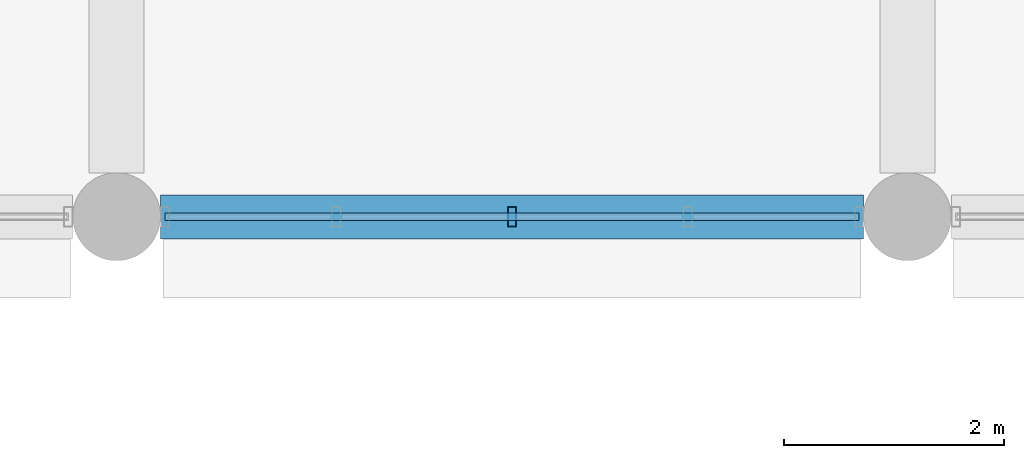
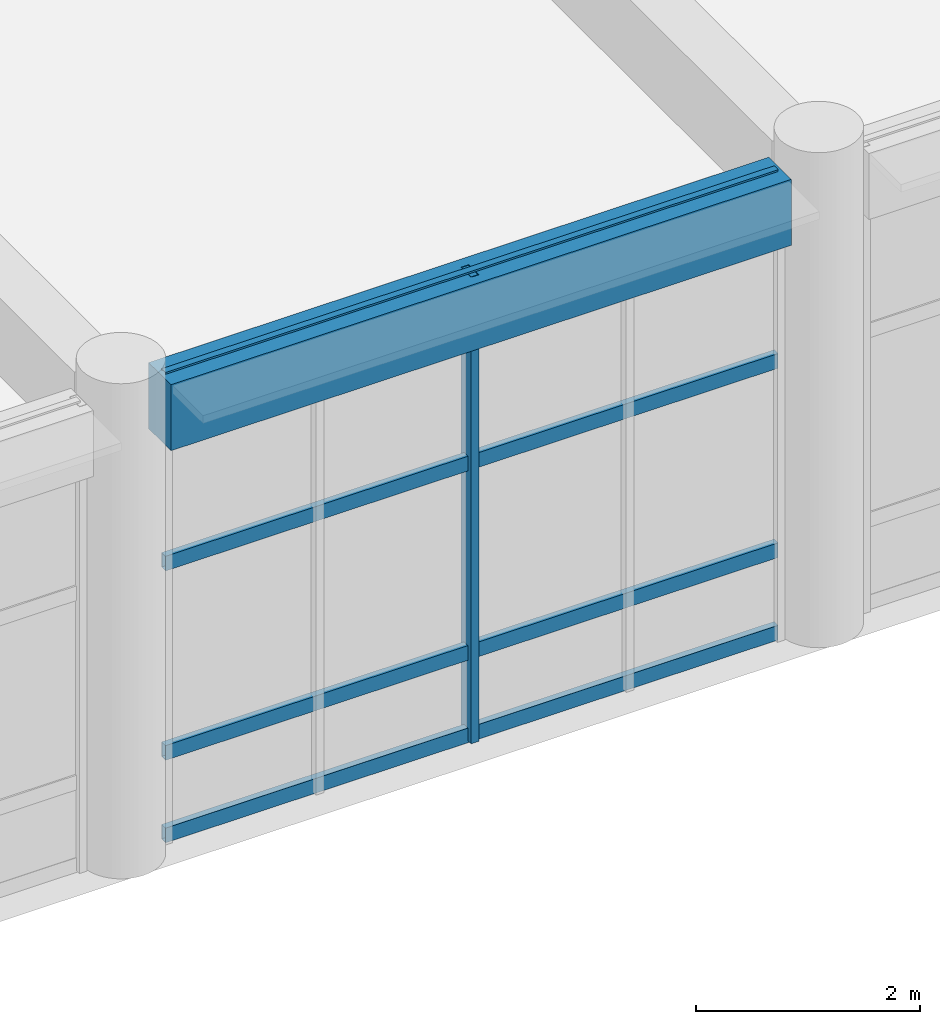
# One storey, part 34 of 160: 5 members, 1 beam, 1 element without a shape of its own.
"""IFC4 building model written with IfcOpenShell, lengths in metres."""

from ifc_helpers import new_model, si_unit, direction, frame, origin, origin_2d, place, context, subcontext, project, spatial, rectangle, hollow_rectangle, extrude, material, material_profile, profile_set, type_object, element, aggregate, save


model = new_model("IFC4")

# Units and contexts
model_context = context("Model", 3, precision=1e-05, world=origin(), true_north=direction((0.0, 1.0)))
body_context = subcontext(model_context, "Body", "Model", "MODEL_VIEW")
ifc_project = project(units=[si_unit("LENGTHUNIT", "METRE"), si_unit("AREAUNIT", "SQUARE_METRE"), si_unit("VOLUMEUNIT", "CUBIC_METRE"), si_unit("PLANEANGLEUNIT", "RADIAN"), si_unit("MASSUNIT", "GRAM", prefix="KILO")], contexts=[model_context])

# Site, building, storey
site_placement = place(None, origin())
site = spatial("IfcSite", under=ifc_project, at=site_placement, CompositionType="ELEMENT")
building_placement = place(site_placement, origin())
building = spatial("IfcBuilding", under=site, at=building_placement, Name="Thalmaran Polytechnic", CompositionType="ELEMENT")
storey_placement = place(building_placement, origin())
storey = spatial("IfcBuildingStorey", under=building, at=storey_placement, Name="L00", CompositionType="ELEMENT", Elevation=0.0)

# Beam
ifc_material_1 = material(Name="Concrete C40/50", Category="concrete")
ifc_material_profile_1 = material_profile(ifc_material_1, rectangle(XDim=0.39990234375, YDim=0.719970703125, at=origin_2d()), Name="RC 400x720")
ifc_profile_set_1 = profile_set([ifc_material_profile_1], Name="Concrete C40/50")
beam_type = type_object("IfcBeamType", Name="BM-SP01", PredefinedType="SPANDREL", material=ifc_profile_set_1)
beam_placement = place(storey_placement, frame((72.39990234375, 50.39990234375, 4.72998046875), z_axis=(1.0, 0.0, 0.0), x_axis=(0.0, 1.0, 0.0)))
element("IfcBeam", 1, at=beam_placement, inside=storey, type_object=beam_type, Name="Grid Beam SP01 L00 X(10,7)", PredefinedType="SPANDREL", context=body_context, shape_type="SweptSolid", body=[
    extrude(rectangle(XDim=0.39990234375, YDim=0.719970703125, at=origin_2d()), origin(), (0.0, 0.0, 1.0), 6.400146484375),
])

# Curtain wall, members
ifc_material_2 = material(Name="Aluminium 6063-T6", Category="aluminium")
curtain_wall_type = type_object("IfcCurtainWallType", Name="CW-SC01", PredefinedType="USERDEFINED", material=ifc_material_2)
curtain_wall_placement = place(storey_placement, origin())
curtain_wall = element("IfcCurtainWall", 2, at=curtain_wall_placement, inside=storey, type_object=curtain_wall_type, Name="Curtain Wall CW-L00-037", ObjectType="STICK CURTAIN WALL", PredefinedType="USERDEFINED")
ifc_material_profile_2 = material_profile(ifc_material_2, hollow_rectangle(XDim=0.080078125, YDim=0.179931640625, WallThickness=0.0048828125, at=origin_2d()), Name="RHS 180x80x5.0")
ifc_profile_set_2 = profile_set([ifc_material_profile_2], Name="Aluminium 6063-T6")
member_type_1 = type_object("IfcMemberType", Name="CW-MUL1", PredefinedType="MULLION", material=ifc_profile_set_2)
member_1_placement = place(storey_placement, frame((75.60009765625, 50.39990234375, 0.0), z_axis=(0.0, 0.0, 1.0), x_axis=(1.0, 0.0, 0.0)))
member_1 = element("IfcMember", 3, at=member_1_placement, type_object=member_type_1, Name="CW-L00-037 Mullion 3", PredefinedType="MULLION", context=body_context, shape_type="SweptSolid", body=[
    extrude(hollow_rectangle(XDim=0.080078125, YDim=0.179931640625, WallThickness=0.0048828125, at=origin_2d()), origin(), (0.0, 0.0, 1.0), 5.090087890625),
])
ifc_material_profile_3 = material_profile(ifc_material_2, hollow_rectangle(XDim=0.070068359375, YDim=0.159912109375, WallThickness=0.00390625, at=origin_2d()), Name="AL 160x70x4.0")
ifc_profile_set_3 = profile_set([ifc_material_profile_3], Name="Aluminium 6063-T6")
member_type_2 = type_object("IfcMemberType", Name="CW-TRN1", PredefinedType="USERDEFINED", material=ifc_profile_set_3)
member_2_placement = place(storey_placement, frame((78.760009765625, 50.39990234375, 0.06005859375), z_axis=(-1.0, 0.0, 0.0), x_axis=(0.0, -1.0, 0.0)))
member_2 = element("IfcMember", 4, at=member_2_placement, type_object=member_type_2, Name="CW-L00-037 Transom 1", ObjectType="TRANSOM", PredefinedType="USERDEFINED", context=body_context, shape_type="SweptSolid", body=[
    extrude(hollow_rectangle(XDim=0.070068359375, YDim=0.159912109375, WallThickness=0.00390625, at=origin_2d()), origin(), (0.0, 0.0, 1.0), 6.320068359375),
])
member_3_placement = place(storey_placement, frame((78.760009765625, 50.39990234375, 0.9599609375), z_axis=(-1.0, 0.0, 0.0), x_axis=(0.0, -1.0, 0.0)))
member_3 = element("IfcMember", 5, at=member_3_placement, type_object=member_type_2, Name="CW-L00-037 Transom 2", ObjectType="TRANSOM", PredefinedType="USERDEFINED", context=body_context, shape_type="SweptSolid", body=[
    extrude(hollow_rectangle(XDim=0.070068359375, YDim=0.159912109375, WallThickness=0.00390625, at=origin_2d()), origin(), (0.0, 0.0, 1.0), 6.320068359375),
])
member_4_placement = place(storey_placement, frame((78.760009765625, 50.39990234375, 3.02490234375), z_axis=(-1.0, 0.0, 0.0), x_axis=(0.0, -1.0, 0.0)))
member_4 = element("IfcMember", 6, at=member_4_placement, type_object=member_type_2, Name="CW-L00-037 Transom 3", ObjectType="TRANSOM", PredefinedType="USERDEFINED", context=body_context, shape_type="SweptSolid", body=[
    extrude(hollow_rectangle(XDim=0.070068359375, YDim=0.159912109375, WallThickness=0.00390625, at=origin_2d()), origin(), (0.0, 0.0, 1.0), 6.320068359375),
])
member_5_placement = place(storey_placement, frame((78.760009765625, 50.39990234375, 5.030029296875), z_axis=(-1.0, 0.0, 0.0), x_axis=(0.0, -1.0, 0.0)))
member_5 = element("IfcMember", 7, at=member_5_placement, type_object=member_type_2, Name="CW-L00-037 Transom 4", ObjectType="TRANSOM", PredefinedType="USERDEFINED", context=body_context, shape_type="SweptSolid", body=[
    extrude(hollow_rectangle(XDim=0.070068359375, YDim=0.159912109375, WallThickness=0.00390625, at=origin_2d()), origin(), (0.0, 0.0, 1.0), 6.320068359375),
])
aggregate(curtain_wall, [member_1, member_2, member_3, member_4, member_5])

save(model, "model.ifc")
